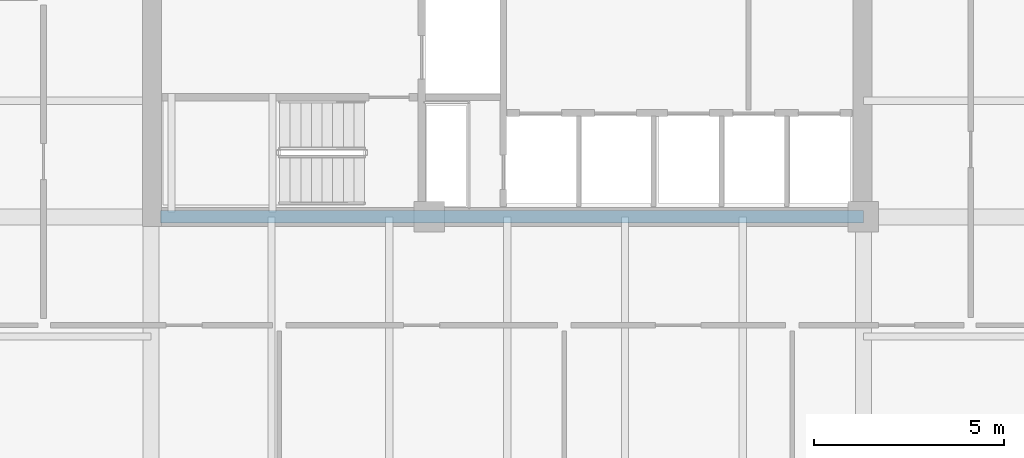
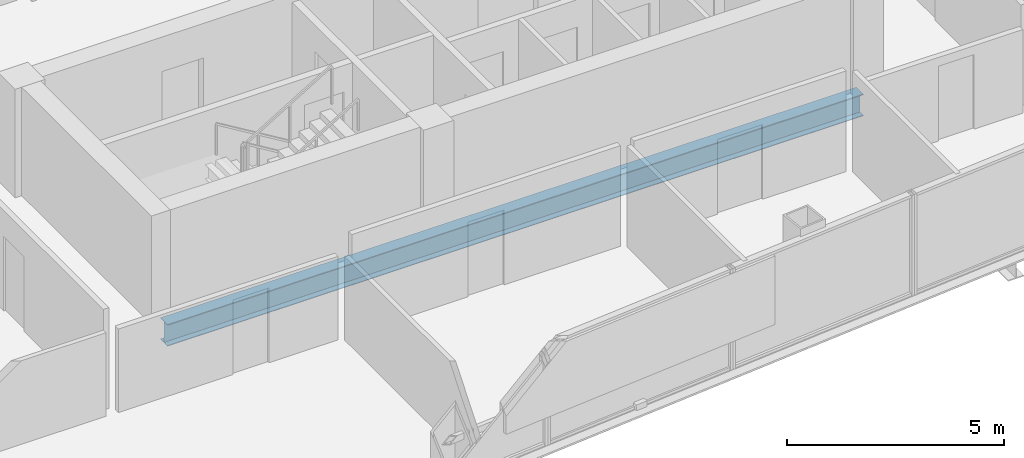
# One storey, part 7 of 29: 1 beam.
"""IFC4 building model written with IfcOpenShell, lengths in metres."""

from ifc_helpers import new_model, si_unit, direction, frame, origin, origin_2d, place, context, subcontext, project, spatial, i_section, extrude, material, material_profile, profile_set, type_object, element, save


model = new_model("IFC4")

# Units and contexts
model_context = context("Model", 3, precision=1e-05, world=origin(), true_north=direction((0.0, 1.0)))
body_context = subcontext(model_context, "Body", "Model", "MODEL_VIEW")
ifc_project = project(units=[si_unit("LENGTHUNIT", "METRE"), si_unit("AREAUNIT", "SQUARE_METRE"), si_unit("VOLUMEUNIT", "CUBIC_METRE"), si_unit("PLANEANGLEUNIT", "RADIAN"), si_unit("MASSUNIT", "GRAM", prefix="KILO")], contexts=[model_context])

# Site, building, storey
site_placement = place(None, origin())
site = spatial("IfcSite", under=ifc_project, at=site_placement, CompositionType="ELEMENT")
building_placement = place(site_placement, origin())
building = spatial("IfcBuilding", under=site, at=building_placement, Name="Qhalaya Broadcast Tower", CompositionType="ELEMENT")
storey_placement = place(building_placement, frame((0.0, 0.0, 177.5)))
storey = spatial("IfcBuildingStorey", under=building, at=storey_placement, Name="L52", CompositionType="ELEMENT", Elevation=177.5)

# Beam
ifc_material = material(Name="Structural Steel ASTM A992 Grade 50", Category="steel")
ifc_material_profile = material_profile(ifc_material, i_section(OverallWidth=0.323974609375, OverallDepth=0.612060546875, WebThickness=0.0126953125, FlangeThickness=0.01904296875, at=origin_2d()), Name="W24X104")
ifc_profile_set = profile_set([ifc_material_profile], Name="Structural Steel ASTM A992 Grade 50")
beam_type = type_object("IfcBeamType", Name="Core Frame Tie Beam B04", PredefinedType="BEAM", material=ifc_profile_set)
beam_placement = place(storey_placement, frame((-9.1201171875, -8.75, -0.52587890625), z_axis=(1.0, 0.0, 0.0), x_axis=(0.0, 1.0, 0.0)))
element("IfcBeam", 1, at=beam_placement, inside=storey, type_object=beam_type, Name="L52 B04 L52-CCS3", PredefinedType="BEAM", context=body_context, shape_type="SweptSolid", body=[
    extrude(i_section(OverallWidth=0.323974609375, OverallDepth=0.612060546875, WebThickness=0.0126953125, FlangeThickness=0.01904296875, at=origin_2d()), origin(), (0.0, 0.0, 1.0), 18.4951171875),
])

save(model, "model.ifc")
